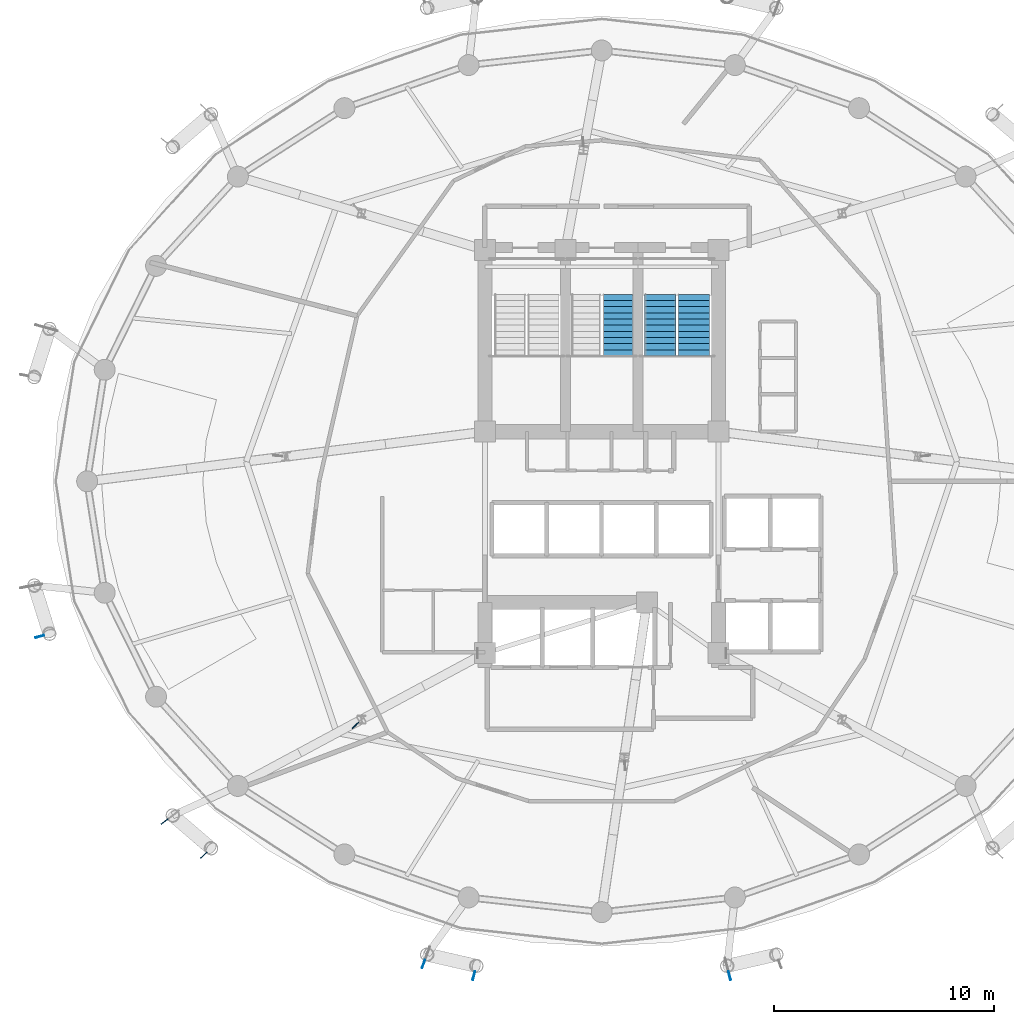
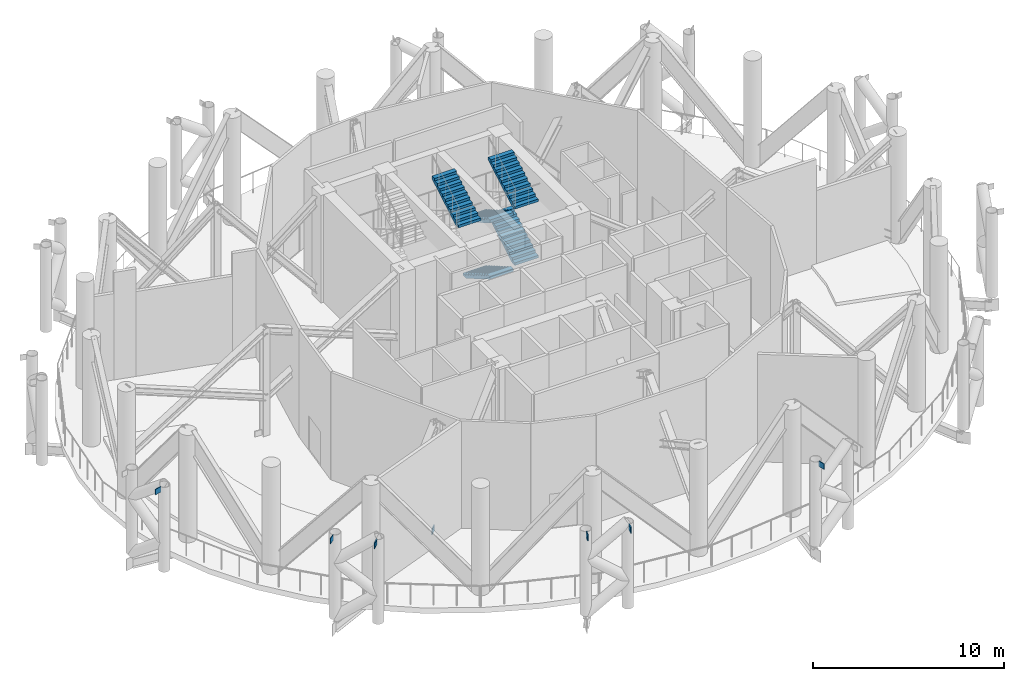
# One storey, part 10 of 18: 7 discrete accessories, 5 stair flights, 2 elements without a shape of their own.
"""IFC4 building model written with IfcOpenShell, lengths in metres."""

from ifc_helpers import new_model, si_unit, direction, frame, origin, origin_2d, place, context, subcontext, project, spatial, polyline, rectangle, outline, extrude, material, type_object, element, aggregate, save


model = new_model("IFC4")

# Units and contexts
model_context = context("Model", 3, precision=1e-05, world=origin(), true_north=direction((0.0, 1.0)))
body_context = subcontext(model_context, "Body", "Model", "MODEL_VIEW")
ifc_project = project(units=[si_unit("LENGTHUNIT", "METRE"), si_unit("AREAUNIT", "SQUARE_METRE"), si_unit("VOLUMEUNIT", "CUBIC_METRE"), si_unit("PLANEANGLEUNIT", "RADIAN"), si_unit("MASSUNIT", "GRAM", prefix="KILO")], contexts=[model_context])

# Site, building, storey
site_placement = place(None, origin())
site = spatial("IfcSite", under=ifc_project, at=site_placement, CompositionType="ELEMENT")
building_placement = place(site_placement, origin())
building = spatial("IfcBuilding", under=site, at=building_placement, Name="Nuhasar Tower", CompositionType="ELEMENT")
storey_placement = place(building_placement, frame((0.0, 0.0, 195.949951171875)))
storey = spatial("IfcBuildingStorey", under=building, at=storey_placement, Name="L48", CompositionType="ELEMENT", Elevation=195.949951171875)

# Stair, stair flights
ifc_material_1 = material(Name="Concrete C45/55", Category="concrete")
stair_type_1 = type_object("IfcStairType", Name="STR-ST-02-4F-44R-1636", PredefinedType="HALF_TURN_STAIR", material=ifc_material_1)
stair_1_placement = place(storey_placement, origin())
stair_1 = element("IfcStair", 1, at=stair_1_placement, inside=storey, type_object=stair_type_1, Name="L48 Exit Stair ST-02", PredefinedType="HALF_TURN_STAIR")
stair_flight_type_1 = type_object("IfcStairFlightType", Name="SFL-ST-02-11R-1636", PredefinedType="STRAIGHT", material=ifc_material_1)
stair_flight_1_placement = place(storey_placement, frame((41.64990234375, 35.284912109375, 0.0), z_axis=(0.0, 0.0, 1.0), x_axis=(0.0, -1.0, 0.0)))
stair_flight_1 = element("IfcStairFlight", 2, at=stair_flight_1_placement, type_object=stair_flight_type_1, Name="ST-02 flight 1", NumberOfRisers=11, NumberOfTreads=10, PredefinedType="STRAIGHT", RiserHeight=0.163636, TreadLength=0.28, context=body_context, shape_type="SweptSolid", body=[
    extrude(outline(polyline([(0.0, 0.0), (0.0, 0.16357421875), (0.280029296875, 0.16357421875), (0.280029296875, 0.327392578125), (0.56005859375, 0.327392578125), (0.56005859375, 0.490966796875), (0.840087890625, 0.490966796875), (0.840087890625, 0.654541015625), (1.1201171875, 0.654541015625), (1.1201171875, 0.818115234375), (1.39990234375, 0.818115234375), (1.39990234375, 0.98193359375), (1.679931640625, 0.98193359375), (1.679931640625, 1.1455078125), (1.9599609375, 1.1455078125), (1.9599609375, 1.30908203125), (2.239990234375, 1.30908203125), (2.239990234375, 1.47265625), (2.52001953125, 1.47265625), (2.52001953125, 1.636474609375), (2.800048828125, 1.636474609375), (2.800048828125, 1.800048828125), (2.800048828125, 1.451171875), (0.31689453125, 0.0), (0.0, 0.0)])), frame((0.0, 0.7099609375, 0.0), z_axis=(0.0, -1.0, 0.0), x_axis=(1.0, 0.0, 0.0)), (0.0, 0.0, 1.0), 1.419921875),
])
stair_flight_2_placement = place(storey_placement, frame((43.169921875, 32.485107421875, 1.800048828125), z_axis=(0.0, 0.0, 1.0), x_axis=(0.0, 1.0, 0.0)))
stair_flight_2 = element("IfcStairFlight", 3, at=stair_flight_2_placement, type_object=stair_flight_type_1, Name="ST-02 flight 2", NumberOfRisers=11, NumberOfTreads=10, PredefinedType="STRAIGHT", RiserHeight=0.163636, TreadLength=0.28, context=body_context, shape_type="SweptSolid", body=[
    extrude(outline(polyline([(0.0, 0.0), (0.0, 0.16357421875), (0.280029296875, 0.16357421875), (0.280029296875, 0.327392578125), (0.56005859375, 0.327392578125), (0.56005859375, 0.490966796875), (0.840087890625, 0.490966796875), (0.840087890625, 0.654541015625), (1.1201171875, 0.654541015625), (1.1201171875, 0.818115234375), (1.39990234375, 0.818115234375), (1.39990234375, 0.98193359375), (1.679931640625, 0.98193359375), (1.679931640625, 1.1455078125), (1.9599609375, 1.1455078125), (1.9599609375, 1.30908203125), (2.239990234375, 1.30908203125), (2.239990234375, 1.47265625), (2.52001953125, 1.47265625), (2.52001953125, 1.636474609375), (2.800048828125, 1.636474609375), (2.800048828125, 1.800048828125), (2.800048828125, 1.451171875), (0.31689453125, 0.0), (0.0, 0.0)])), frame((0.0, 0.7099609375, 0.0), z_axis=(0.0, -1.0, 0.0), x_axis=(1.0, 0.0, 0.0)), (0.0, 0.0, 1.0), 1.419921875),
])
stair_flight_3_placement = place(storey_placement, frame((41.64990234375, 35.284912109375, 3.60009765625), z_axis=(0.0, 0.0, 1.0), x_axis=(0.0, -1.0, 0.0)))
stair_flight_3 = element("IfcStairFlight", 4, at=stair_flight_3_placement, type_object=stair_flight_type_1, Name="ST-02 flight 3", NumberOfRisers=11, NumberOfTreads=10, PredefinedType="STRAIGHT", RiserHeight=0.163636, TreadLength=0.28, context=body_context, shape_type="SweptSolid", body=[
    extrude(outline(polyline([(0.0, 0.0), (0.0, 0.16357421875), (0.280029296875, 0.16357421875), (0.280029296875, 0.327392578125), (0.56005859375, 0.327392578125), (0.56005859375, 0.490966796875), (0.840087890625, 0.490966796875), (0.840087890625, 0.654541015625), (1.1201171875, 0.654541015625), (1.1201171875, 0.818115234375), (1.39990234375, 0.818115234375), (1.39990234375, 0.98193359375), (1.679931640625, 0.98193359375), (1.679931640625, 1.1455078125), (1.9599609375, 1.1455078125), (1.9599609375, 1.30908203125), (2.239990234375, 1.30908203125), (2.239990234375, 1.47265625), (2.52001953125, 1.47265625), (2.52001953125, 1.636474609375), (2.800048828125, 1.636474609375), (2.800048828125, 1.800048828125), (2.800048828125, 1.451171875), (0.31689453125, 0.0), (0.0, 0.0)])), frame((0.0, 0.7099609375, 0.0), z_axis=(0.0, -1.0, 0.0), x_axis=(1.0, 0.0, 0.0)), (0.0, 0.0, 1.0), 1.419921875),
])
stair_flight_4_placement = place(storey_placement, frame((43.169921875, 32.485107421875, 5.400146484375), z_axis=(0.0, 0.0, 1.0), x_axis=(0.0, 1.0, 0.0)))
stair_flight_4 = element("IfcStairFlight", 5, at=stair_flight_4_placement, type_object=stair_flight_type_1, Name="ST-02 flight 4", NumberOfRisers=11, NumberOfTreads=10, PredefinedType="STRAIGHT", RiserHeight=0.163636, TreadLength=0.28, context=body_context, shape_type="SweptSolid", body=[
    extrude(outline(polyline([(0.0, 0.0), (0.0, 0.16357421875), (0.280029296875, 0.16357421875), (0.280029296875, 0.327392578125), (0.56005859375, 0.327392578125), (0.56005859375, 0.490966796875), (0.840087890625, 0.490966796875), (0.840087890625, 0.654541015625), (1.1201171875, 0.654541015625), (1.1201171875, 0.818115234375), (1.39990234375, 0.818115234375), (1.39990234375, 0.98193359375), (1.679931640625, 0.98193359375), (1.679931640625, 1.1455078125), (1.9599609375, 1.1455078125), (1.9599609375, 1.30908203125), (2.239990234375, 1.30908203125), (2.239990234375, 1.47265625), (2.52001953125, 1.47265625), (2.52001953125, 1.636474609375), (2.800048828125, 1.636474609375), (2.800048828125, 1.800048828125), (2.800048828125, 1.451171875), (0.31689453125, 0.0), (0.0, 0.0)])), frame((0.0, 0.7099609375, 0.0), z_axis=(0.0, -1.0, 0.0), x_axis=(1.0, 0.0, 0.0)), (0.0, 0.0, 1.0), 1.419921875),
])
aggregate(stair_1, [stair_flight_1, stair_flight_2, stair_flight_3, stair_flight_4])

# Stair, stair flight
stair_type_2 = type_object("IfcStairType", Name="STR-ST-03-4F-44R-1636", PredefinedType="HALF_TURN_STAIR", material=ifc_material_1)
stair_2_placement = place(storey_placement, origin())
stair_2 = element("IfcStair", 6, at=stair_2_placement, inside=storey, type_object=stair_type_2, Name="L48 Exit Stair ST-03", PredefinedType="HALF_TURN_STAIR")
stair_flight_type_2 = type_object("IfcStairFlightType", Name="SFL-ST-03-11R-1636", PredefinedType="STRAIGHT", material=ifc_material_1)
stair_flight_5_placement = place(storey_placement, frame((39.719970703125, 32.485107421875, 5.400146484375), z_axis=(0.0, 0.0, 1.0), x_axis=(0.0, 1.0, 0.0)))
stair_flight_5 = element("IfcStairFlight", 7, at=stair_flight_5_placement, type_object=stair_flight_type_2, Name="ST-03 flight 4", NumberOfRisers=11, NumberOfTreads=10, PredefinedType="STRAIGHT", RiserHeight=0.163636, TreadLength=0.28, context=body_context, shape_type="SweptSolid", body=[
    extrude(outline(polyline([(0.0, 0.0), (0.0, 0.16357421875), (0.280029296875, 0.16357421875), (0.280029296875, 0.327392578125), (0.56005859375, 0.327392578125), (0.56005859375, 0.490966796875), (0.840087890625, 0.490966796875), (0.840087890625, 0.654541015625), (1.1201171875, 0.654541015625), (1.1201171875, 0.818115234375), (1.39990234375, 0.818115234375), (1.39990234375, 0.98193359375), (1.679931640625, 0.98193359375), (1.679931640625, 1.1455078125), (1.9599609375, 1.1455078125), (1.9599609375, 1.30908203125), (2.239990234375, 1.30908203125), (2.239990234375, 1.47265625), (2.52001953125, 1.47265625), (2.52001953125, 1.636474609375), (2.800048828125, 1.636474609375), (2.800048828125, 1.800048828125), (2.800048828125, 1.451171875), (0.31689453125, 0.0), (0.0, 0.0)])), frame((0.0, 0.669921875, 0.0), z_axis=(0.0, -1.0, 0.0), x_axis=(1.0, 0.0, 0.0)), (0.0, 0.0, 1.0), 1.340087890625),
])
aggregate(stair_2, [stair_flight_5])

# Discrete accessories
ifc_material_2 = material(Name="Steel S460", Category="steel")
discrete_accessory_type = type_object("IfcDiscreteAccessoryType", Name="ACC-GUS-40", PredefinedType="USERDEFINED", material=ifc_material_2)
for number, where, z_axis, x_axis, name in (
    (8, (13.5009765625, 19.758056640625, 5.080078125), (0.0, 0.0, 1.0), (-0.963914422589, -0.266212294842, 0.0), "L48 Exoskeleton Chord Column EC-07B Gusset Plate"),
    (9, (19.169921875, 11.35791015625, 5.080078125), (0.0, 0.0, 1.0), (-0.788998306749, -0.614395371034, 0.0), "L48 Exoskeleton Chord Column EC-08A Gusset Plate"),
    (10, (20.945068359375, 9.8310546875, 5.080078125), (0.0, 0.0, 1.0), (-0.728681821056, -0.684852395529, 0.0), "L48 Exoskeleton Chord Column EC-08B Gusset Plate"),
    (11, (30.9140625, 4.89697265625, 5.080078125), (0.0, 0.0, 1.0), (-0.346313543819, -0.938118824759, 0.0), "L48 Exoskeleton Chord Column EC-09A Gusset Plate"),
    (12, (33.199951171875, 4.368896484375, 5.080078125), (0.0, 0.0, 1.0), (-0.250346209174, -0.968156379699, 0.0), "L48 Exoskeleton Chord Column EC-09B Gusset Plate"),
    (13, (44.800048828125, 4.368896484375, 5.080078125), (0.0, 0.0, 1.0), (0.250346209174, -0.968156379699, 0.0), "L48 Exoskeleton Chord Column EC-10A Gusset Plate"),
    (14, (27.824951171875, 15.719970703125, 0.0), (0.0, 0.0, 1.0), (-0.710123936045, -0.704076697141, 0.0), "L48 Outrigger Truss Post 01 Gusset Plate"),
):
    element("IfcDiscreteAccessory", number, at=place(storey_placement, frame(where, z_axis=z_axis, x_axis=x_axis)), inside=storey, type_object=discrete_accessory_type, Name=name, ObjectType="STEEL_GUSSET_PLATE", PredefinedType="USERDEFINED", context=body_context, shape_type="SweptSolid", body=[
        extrude(rectangle(XDim=0.39990234375, YDim=0.0400390625, at=origin_2d()), origin(), (0.0, 0.0, 1.0), 0.35009765625),
    ])

save(model, "model.ifc")
